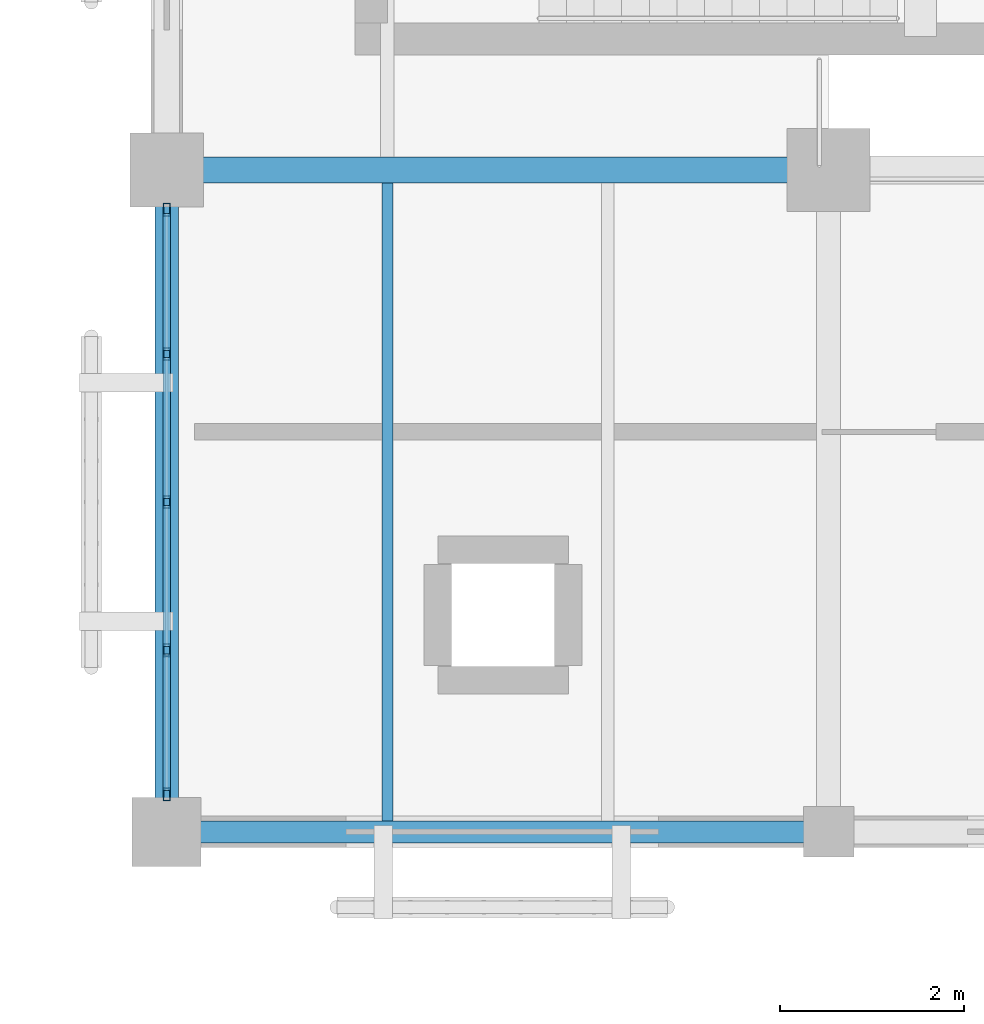
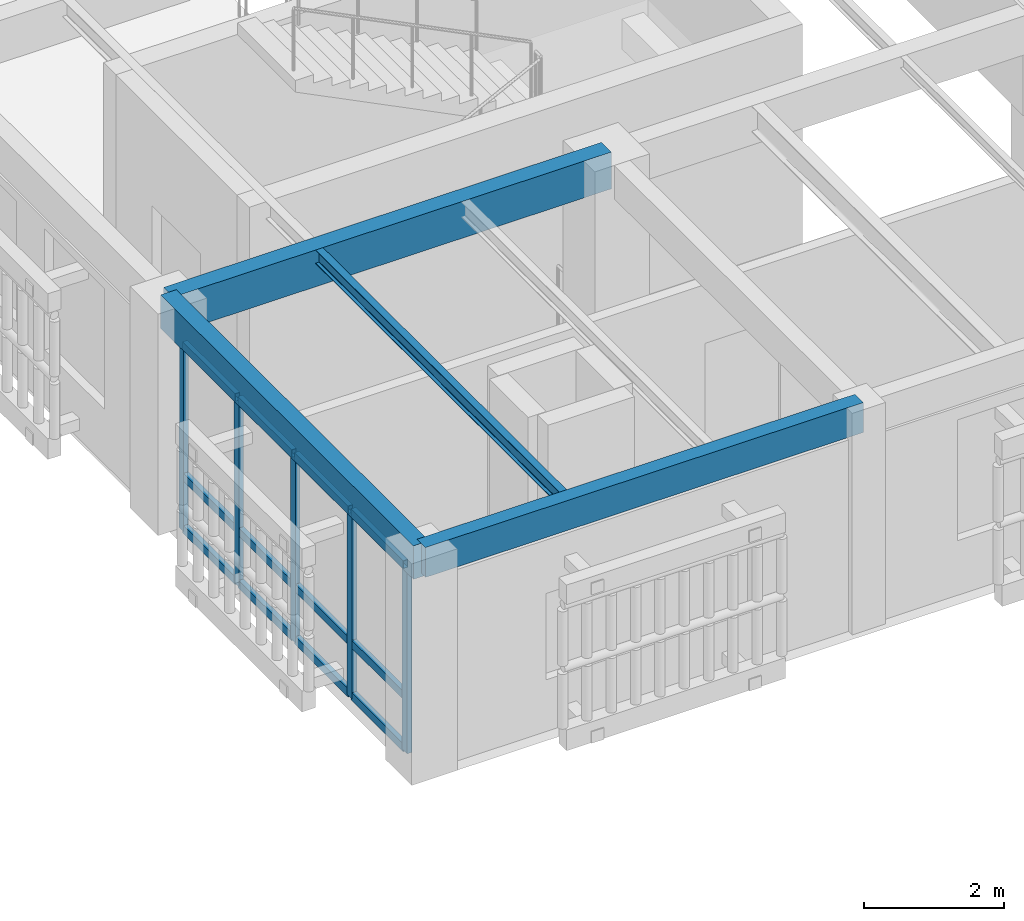
# One storey, part 47 of 170: 17 members, 4 beams, 1 element without a shape of its own.
"""IFC4 building model written with IfcOpenShell, lengths in metres."""

from ifc_helpers import new_model, si_unit, direction, frame, origin, origin_2d, place, context, subcontext, project, spatial, rectangle, hollow_rectangle, i_section, extrude, material, layer, layer_set, material_profile, profile_set, type_object, element, aggregate, save


model = new_model("IFC4")

# Units and contexts
model_context = context("Model", 3, precision=1e-05, world=origin(), true_north=direction((0.0, 1.0)))
body_context = subcontext(model_context, "Body", "Model", "MODEL_VIEW")
ifc_project = project(units=[si_unit("LENGTHUNIT", "METRE"), si_unit("AREAUNIT", "SQUARE_METRE"), si_unit("VOLUMEUNIT", "CUBIC_METRE"), si_unit("PLANEANGLEUNIT", "RADIAN"), si_unit("MASSUNIT", "GRAM", prefix="KILO")], contexts=[model_context])

# Site, building, storey
site_placement = place(None, origin())
site = spatial("IfcSite", under=ifc_project, at=site_placement, CompositionType="ELEMENT")
building_placement = place(site_placement, origin())
building = spatial("IfcBuilding", under=site, at=building_placement, Name="Mazaris Harbour Polytechnic", CompositionType="ELEMENT")
storey_placement = place(building_placement, frame((0.0, 0.0, 5.39990234375)))
storey = spatial("IfcBuildingStorey", under=building, at=storey_placement, Name="L01", CompositionType="ELEMENT", Elevation=5.39990234375)

# Curtain wall, members
ifc_material_1 = material(Name="Anodised Bronze Aluminium and Low-E Glass", Category="aluminium")
ifc_layer = layer(ifc_material_1, 0.159912109375, Name="Anodised Bronze Aluminium and Low-E Glass")
ifc_layer_set = layer_set([ifc_layer], Name="Anodised Bronze Aluminium and Low-E Glass")
curtain_wall_type = type_object("IfcCurtainWallType", Name="Cloister Court Curtain Wall", PredefinedType="NOTDEFINED", material=ifc_layer_set)
curtain_wall_placement = place(storey_placement, origin())
curtain_wall = element("IfcCurtainWall", 1, at=curtain_wall_placement, inside=storey, type_object=curtain_wall_type, Name="V2 L01 Curtain Wall 47", PredefinedType="NOTDEFINED")
ifc_material_2 = material(Name="Anodised Bronze Steel S355", Category="steel")
ifc_material_profile_1 = material_profile(ifc_material_2, hollow_rectangle(XDim=0.080078125, YDim=0.139892578125, WallThickness=0.00634765625, at=origin_2d()), Name="RHS 80x140x6.3")
ifc_profile_set_1 = profile_set([ifc_material_profile_1], Name="Anodised Bronze Steel S355")
member_type_1 = type_object("IfcMemberType", Name="Curtain Mullion RHS80x140", PredefinedType="MULLION", material=ifc_profile_set_1)
member_1_placement = place(storey_placement, frame((122.39990234375, 7.60693359375, 0.0), z_axis=(0.0, 0.0, 1.0), x_axis=(-1.0, 0.0, 0.0)))
member_1 = element("IfcMember", 2, at=member_1_placement, type_object=member_type_1, Name="CW-02 mullion 1", PredefinedType="MULLION", context=body_context, shape_type="SweptSolid", body=[
    extrude(hollow_rectangle(XDim=0.080078125, YDim=0.139892578125, WallThickness=0.00634765625, at=origin_2d()), origin(), (0.0, 0.0, 1.0), 3.260009765625),
])
member_2_placement = place(storey_placement, frame((122.39990234375, 9.17724609375, 0.0), z_axis=(0.0, 0.0, 1.0), x_axis=(-1.0, 0.0, 0.0)))
member_2 = element("IfcMember", 3, at=member_2_placement, type_object=member_type_1, Name="CW-02 mullion 2", PredefinedType="MULLION", context=body_context, shape_type="SweptSolid", body=[
    extrude(hollow_rectangle(XDim=0.080078125, YDim=0.139892578125, WallThickness=0.00634765625, at=origin_2d()), origin(), (0.0, 0.0, 1.0), 3.260009765625),
])
member_3_placement = place(storey_placement, frame((122.39990234375, 10.78759765625, 0.0), z_axis=(0.0, 0.0, 1.0), x_axis=(-1.0, 0.0, 0.0)))
member_3 = element("IfcMember", 4, at=member_3_placement, type_object=member_type_1, Name="CW-02 mullion 3", PredefinedType="MULLION", context=body_context, shape_type="SweptSolid", body=[
    extrude(hollow_rectangle(XDim=0.080078125, YDim=0.139892578125, WallThickness=0.00634765625, at=origin_2d()), origin(), (0.0, 0.0, 1.0), 3.260009765625),
])
member_4_placement = place(storey_placement, frame((122.39990234375, 12.397705078125, 0.0), z_axis=(0.0, 0.0, 1.0), x_axis=(-1.0, 0.0, 0.0)))
member_4 = element("IfcMember", 5, at=member_4_placement, type_object=member_type_1, Name="CW-02 mullion 4", PredefinedType="MULLION", context=body_context, shape_type="SweptSolid", body=[
    extrude(hollow_rectangle(XDim=0.080078125, YDim=0.139892578125, WallThickness=0.00634765625, at=origin_2d()), origin(), (0.0, 0.0, 1.0), 3.260009765625),
])
member_5_placement = place(storey_placement, frame((122.39990234375, 13.968017578125, 0.0), z_axis=(0.0, 0.0, 1.0), x_axis=(-1.0, 0.0, 0.0)))
member_5 = element("IfcMember", 6, at=member_5_placement, type_object=member_type_1, Name="CW-02 mullion 5", PredefinedType="MULLION", context=body_context, shape_type="SweptSolid", body=[
    extrude(hollow_rectangle(XDim=0.080078125, YDim=0.139892578125, WallThickness=0.00634765625, at=origin_2d()), origin(), (0.0, 0.0, 1.0), 3.260009765625),
])
ifc_material_3 = material(Name="Anodised Bronze Steel S355", Category="steel")
ifc_material_profile_2 = material_profile(ifc_material_3, hollow_rectangle(XDim=0.080078125, YDim=0.139892578125, WallThickness=0.00634765625, at=origin_2d()), Name="RHS 80x140x6.3")
ifc_profile_set_2 = profile_set([ifc_material_profile_2], Name="Anodised Bronze Steel S355")
member_type_2 = type_object("IfcMemberType", Name="Curtain Transom RHS80x140", PredefinedType="USERDEFINED", material=ifc_profile_set_2)
member_6_placement = place(storey_placement, frame((122.39990234375, 7.64697265625, 0.0400390625), z_axis=(0.0, 1.0, 0.0), x_axis=(-1.0, 0.0, 0.0)))
member_6 = element("IfcMember", 7, at=member_6_placement, type_object=member_type_2, Name="CW-02 transom 1.1", ObjectType="TRANSOM", PredefinedType="USERDEFINED", context=body_context, shape_type="SweptSolid", body=[
    extrude(hollow_rectangle(XDim=0.080078125, YDim=0.139892578125, WallThickness=0.00634765625, at=origin_2d()), origin(), (0.0, 0.0, 1.0), 1.490234375),
])
member_7_placement = place(storey_placement, frame((122.39990234375, 7.64697265625, 0.9501953125), z_axis=(0.0, 1.0, 0.0), x_axis=(-1.0, 0.0, 0.0)))
member_7 = element("IfcMember", 8, at=member_7_placement, type_object=member_type_2, Name="CW-02 transom 1.2", ObjectType="TRANSOM", PredefinedType="USERDEFINED", context=body_context, shape_type="SweptSolid", body=[
    extrude(hollow_rectangle(XDim=0.080078125, YDim=0.139892578125, WallThickness=0.00634765625, at=origin_2d()), origin(), (0.0, 0.0, 1.0), 1.490234375),
])
member_8_placement = place(storey_placement, frame((122.39990234375, 7.64697265625, 3.22021484375), z_axis=(0.0, 1.0, 0.0), x_axis=(-1.0, 0.0, 0.0)))
member_8 = element("IfcMember", 9, at=member_8_placement, type_object=member_type_2, Name="CW-02 transom 1.3", ObjectType="TRANSOM", PredefinedType="USERDEFINED", context=body_context, shape_type="SweptSolid", body=[
    extrude(hollow_rectangle(XDim=0.080078125, YDim=0.139892578125, WallThickness=0.00634765625, at=origin_2d()), origin(), (0.0, 0.0, 1.0), 1.490234375),
])
member_9_placement = place(storey_placement, frame((122.39990234375, 9.21728515625, 0.0400390625), z_axis=(0.0, 1.0, 0.0), x_axis=(-1.0, 0.0, 0.0)))
member_9 = element("IfcMember", 10, at=member_9_placement, type_object=member_type_2, Name="CW-02 transom 2.1", ObjectType="TRANSOM", PredefinedType="USERDEFINED", context=body_context, shape_type="SweptSolid", body=[
    extrude(hollow_rectangle(XDim=0.080078125, YDim=0.139892578125, WallThickness=0.00634765625, at=origin_2d()), origin(), (0.0, 0.0, 1.0), 1.5302734375),
])
member_10_placement = place(storey_placement, frame((122.39990234375, 9.21728515625, 0.9501953125), z_axis=(0.0, 1.0, 0.0), x_axis=(-1.0, 0.0, 0.0)))
member_10 = element("IfcMember", 11, at=member_10_placement, type_object=member_type_2, Name="CW-02 transom 2.2", ObjectType="TRANSOM", PredefinedType="USERDEFINED", context=body_context, shape_type="SweptSolid", body=[
    extrude(hollow_rectangle(XDim=0.080078125, YDim=0.139892578125, WallThickness=0.00634765625, at=origin_2d()), origin(), (0.0, 0.0, 1.0), 1.5302734375),
])
member_11_placement = place(storey_placement, frame((122.39990234375, 9.21728515625, 3.22021484375), z_axis=(0.0, 1.0, 0.0), x_axis=(-1.0, 0.0, 0.0)))
member_11 = element("IfcMember", 12, at=member_11_placement, type_object=member_type_2, Name="CW-02 transom 2.3", ObjectType="TRANSOM", PredefinedType="USERDEFINED", context=body_context, shape_type="SweptSolid", body=[
    extrude(hollow_rectangle(XDim=0.080078125, YDim=0.139892578125, WallThickness=0.00634765625, at=origin_2d()), origin(), (0.0, 0.0, 1.0), 1.5302734375),
])
member_12_placement = place(storey_placement, frame((122.39990234375, 10.827392578125, 0.0400390625), z_axis=(0.0, 1.0, 0.0), x_axis=(-1.0, 0.0, 0.0)))
member_12 = element("IfcMember", 13, at=member_12_placement, type_object=member_type_2, Name="CW-02 transom 3.1", ObjectType="TRANSOM", PredefinedType="USERDEFINED", context=body_context, shape_type="SweptSolid", body=[
    extrude(hollow_rectangle(XDim=0.080078125, YDim=0.139892578125, WallThickness=0.00634765625, at=origin_2d()), origin(), (0.0, 0.0, 1.0), 1.5302734375),
])
member_13_placement = place(storey_placement, frame((122.39990234375, 10.827392578125, 0.9501953125), z_axis=(0.0, 1.0, 0.0), x_axis=(-1.0, 0.0, 0.0)))
member_13 = element("IfcMember", 14, at=member_13_placement, type_object=member_type_2, Name="CW-02 transom 3.2", ObjectType="TRANSOM", PredefinedType="USERDEFINED", context=body_context, shape_type="SweptSolid", body=[
    extrude(hollow_rectangle(XDim=0.080078125, YDim=0.139892578125, WallThickness=0.00634765625, at=origin_2d()), origin(), (0.0, 0.0, 1.0), 1.5302734375),
])
member_14_placement = place(storey_placement, frame((122.39990234375, 10.827392578125, 3.22021484375), z_axis=(0.0, 1.0, 0.0), x_axis=(-1.0, 0.0, 0.0)))
member_14 = element("IfcMember", 15, at=member_14_placement, type_object=member_type_2, Name="CW-02 transom 3.3", ObjectType="TRANSOM", PredefinedType="USERDEFINED", context=body_context, shape_type="SweptSolid", body=[
    extrude(hollow_rectangle(XDim=0.080078125, YDim=0.139892578125, WallThickness=0.00634765625, at=origin_2d()), origin(), (0.0, 0.0, 1.0), 1.5302734375),
])
member_15_placement = place(storey_placement, frame((122.39990234375, 12.437744140625, 0.0400390625), z_axis=(0.0, 1.0, 0.0), x_axis=(-1.0, 0.0, 0.0)))
member_15 = element("IfcMember", 16, at=member_15_placement, type_object=member_type_2, Name="CW-02 transom 4.1", ObjectType="TRANSOM", PredefinedType="USERDEFINED", context=body_context, shape_type="SweptSolid", body=[
    extrude(hollow_rectangle(XDim=0.080078125, YDim=0.139892578125, WallThickness=0.00634765625, at=origin_2d()), origin(), (0.0, 0.0, 1.0), 1.490234375),
])
member_16_placement = place(storey_placement, frame((122.39990234375, 12.437744140625, 0.9501953125), z_axis=(0.0, 1.0, 0.0), x_axis=(-1.0, 0.0, 0.0)))
member_16 = element("IfcMember", 17, at=member_16_placement, type_object=member_type_2, Name="CW-02 transom 4.2", ObjectType="TRANSOM", PredefinedType="USERDEFINED", context=body_context, shape_type="SweptSolid", body=[
    extrude(hollow_rectangle(XDim=0.080078125, YDim=0.139892578125, WallThickness=0.00634765625, at=origin_2d()), origin(), (0.0, 0.0, 1.0), 1.490234375),
])
member_17_placement = place(storey_placement, frame((122.39990234375, 12.437744140625, 3.22021484375), z_axis=(0.0, 1.0, 0.0), x_axis=(-1.0, 0.0, 0.0)))
member_17 = element("IfcMember", 18, at=member_17_placement, type_object=member_type_2, Name="CW-02 transom 4.3", ObjectType="TRANSOM", PredefinedType="USERDEFINED", context=body_context, shape_type="SweptSolid", body=[
    extrude(hollow_rectangle(XDim=0.080078125, YDim=0.139892578125, WallThickness=0.00634765625, at=origin_2d()), origin(), (0.0, 0.0, 1.0), 1.490234375),
])
aggregate(curtain_wall, [member_1, member_2, member_3, member_4, member_5, member_6, member_7, member_8, member_9, member_10, member_11, member_12, member_13, member_14, member_15, member_16, member_17])

# Beams
ifc_material_4 = material(Name="Glulam GL32h", Category="wood")
ifc_material_profile_3 = material_profile(ifc_material_4, rectangle(XDim=0.239990234375, YDim=0.52001953125, at=origin_2d()), Name="RECT240x520")
ifc_profile_set_3 = profile_set([ifc_material_profile_3], Name="Glulam GL32h")
beam_type_1 = type_object("IfcBeamType", Name="Glulam Girder 240x520 Exterior", PredefinedType="BEAM", material=ifc_profile_set_3)
beam_1_placement = place(storey_placement, frame((122.39990234375, 7.199951171875, 3.590087890625), z_axis=(1.0, 0.0, 0.0), x_axis=(0.0, 1.0, 0.0)))
element("IfcBeam", 19, at=beam_1_placement, inside=storey, type_object=beam_type_1, Name="V2 L01 Girder 515", PredefinedType="BEAM", context=body_context, shape_type="SweptSolid", body=[
    extrude(rectangle(XDim=0.239990234375, YDim=0.52001953125, at=origin_2d()), origin(), (0.0, 0.0, 1.0), 7.2001953125),
])
ifc_material_5 = material(Name="Glulam GL32h", Category="wood")
ifc_material_profile_4 = material_profile(ifc_material_5, rectangle(XDim=0.260009765625, YDim=0.580078125, at=origin_2d()), Name="RECT260x580")
ifc_profile_set_4 = profile_set([ifc_material_profile_4], Name="Glulam GL32h")
beam_type_2 = type_object("IfcBeamType", Name="Glulam Girder 260x580 Exterior", PredefinedType="BEAM", material=ifc_profile_set_4)
beam_2_placement = place(storey_placement, frame((122.39990234375, 7.199951171875, 3.56005859375), z_axis=(0.0, 1.0, 0.0), x_axis=(-1.0, 0.0, 0.0)))
element("IfcBeam", 20, at=beam_2_placement, inside=storey, type_object=beam_type_2, Name="V2 L01 Tie Girder 556", PredefinedType="BEAM", context=body_context, shape_type="SweptSolid", body=[
    extrude(rectangle(XDim=0.260009765625, YDim=0.580078125, at=origin_2d()), origin(), (0.0, 0.0, 1.0), 7.199951171875),
])
ifc_material_6 = material(Name="Glulam GL32h", Category="wood")
ifc_material_profile_5 = material_profile(ifc_material_6, rectangle(XDim=0.280029296875, YDim=0.639892578125, at=origin_2d()), Name="RECT280x640")
ifc_profile_set_5 = profile_set([ifc_material_profile_5], Name="Glulam GL32h")
beam_type_3 = type_object("IfcBeamType", Name="Glulam Girder 280x640", PredefinedType="BEAM", material=ifc_profile_set_5)
beam_3_placement = place(storey_placement, frame((122.39990234375, 14.39990234375, 3.530029296875), z_axis=(1.0, 0.0, 0.0), x_axis=(0.0, 1.0, 0.0)))
element("IfcBeam", 21, at=beam_3_placement, inside=storey, type_object=beam_type_3, Name="V2 L01 Girder 522", PredefinedType="BEAM", context=body_context, shape_type="SweptSolid", body=[
    extrude(rectangle(XDim=0.280029296875, YDim=0.639892578125, at=origin_2d()), origin(), (0.0, 0.0, 1.0), 7.2001953125),
])
ifc_material_7 = material(Name="Steel S355", Category="steel")
ifc_material_profile_6 = material_profile(ifc_material_7, i_section(OverallWidth=0.1201171875, OverallDepth=0.239990234375, WebThickness=0.006103515625, FlangeThickness=0.009765625, FilletRadius=0.014892578125, at=origin_2d()), Name="IPE 240")
ifc_profile_set_6 = profile_set([ifc_material_profile_6], Name="Steel S355")
beam_type_4 = type_object("IfcBeamType", Name="Steel Joist IPE240", PredefinedType="JOIST", material=ifc_profile_set_6)
beam_4_placement = place(storey_placement, frame((124.800048828125, 7.320068359375, 3.72998046875), z_axis=(0.0, 1.0, 0.0), x_axis=(-1.0, 0.0, 0.0)))
element("IfcBeam", 22, at=beam_4_placement, inside=storey, type_object=beam_type_4, Name="V2 L01 Floor Joist 582", PredefinedType="JOIST", context=body_context, shape_type="SweptSolid", body=[
    extrude(i_section(OverallWidth=0.1201171875, OverallDepth=0.239990234375, WebThickness=0.006103515625, FlangeThickness=0.009765625, FilletRadius=0.014892578125, at=origin_2d()), origin(), (0.0, 0.0, 1.0), 6.93994140625),
])

save(model, "model.ifc")
